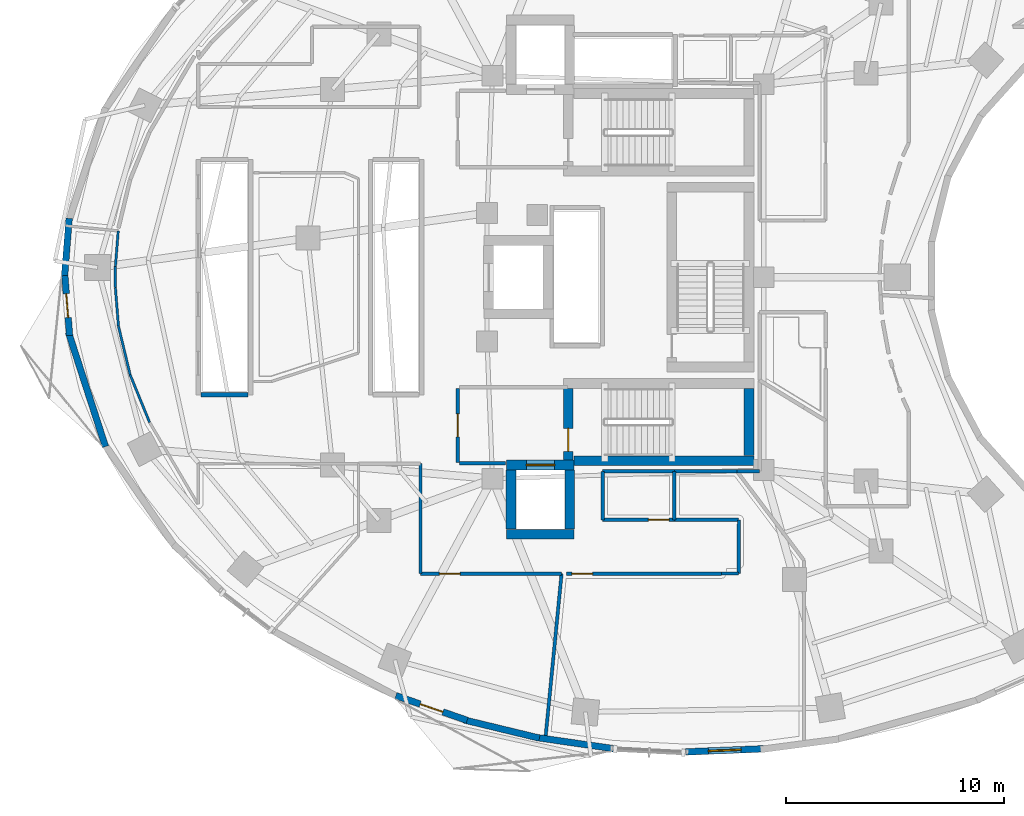
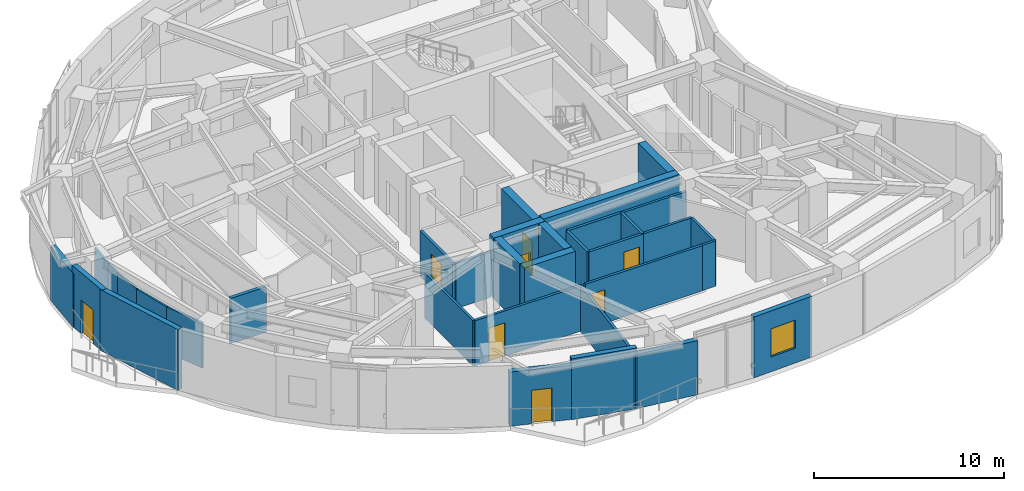
# One storey, part 7 of 14: 35 walls, 8 doors, 1 window, 9 openings.
"""IFC4 building model written with IfcOpenShell, lengths in metres."""

from ifc_helpers import new_model, si_unit, direction, frame, frame_2d, origin, place, context, subcontext, project, spatial, rectangle, extrude, material, layer, layer_set, type_object, element, fill, save


model = new_model("IFC4")

# Units and contexts
model_context = context("Model", 3, precision=1e-05, world=origin(), true_north=direction((0.0, 1.0)))
body_context = subcontext(model_context, "Body", "Model", "MODEL_VIEW")
ifc_project = project(units=[si_unit("LENGTHUNIT", "METRE"), si_unit("AREAUNIT", "SQUARE_METRE"), si_unit("VOLUMEUNIT", "CUBIC_METRE"), si_unit("PLANEANGLEUNIT", "RADIAN"), si_unit("MASSUNIT", "GRAM", prefix="KILO")], contexts=[model_context])

# Site, building, storey
site_placement = place(None, origin())
site = spatial("IfcSite", under=ifc_project, at=site_placement, CompositionType="ELEMENT")
building_placement = place(site_placement, origin())
building = spatial("IfcBuilding", under=site, at=building_placement, Name="Korentha Bioscience Tower", CompositionType="ELEMENT")
storey_placement = place(building_placement, frame((0.0, 0.0, 90.0)))
storey = spatial("IfcBuildingStorey", under=building, at=storey_placement, Name="L20", CompositionType="ELEMENT", Elevation=90.0)

# Wall, opening, door
ifc_material_1 = material(Name="Double-Stud Acoustic Gypsum", Category="gypsum")
ifc_layer_1 = layer(ifc_material_1, 0.14990234375, Name="Double-Stud Acoustic Gypsum")
ifc_layer_set_1 = layer_set([ifc_layer_1], Name="Double-Stud Acoustic Gypsum (IW-L150)")
wall_type_1 = type_object("IfcWallType", Name="Acoustic Laboratory Partition Wall 150", PredefinedType="PARTITIONING", material=ifc_layer_set_1)
wall_1_placement = place(storey_placement, frame((21.800048828125, 13.389892578125, 0.0), z_axis=(0.0, 0.0, 1.0), x_axis=(1.0, 0.0, 0.0)))
wall_1 = element("IfcWall", 1, at=wall_1_placement, inside=storey, type_object=wall_type_1, Name="L20 Research Colloquium Seminar Room 02 Entrance Wall", PredefinedType="PARTITIONING", context=body_context, shape_type="SweptSolid", body=[
    extrude(rectangle(XDim=6.47119140625, YDim=0.14990234375, at=frame_2d((3.235595703125, 0.0))), origin(), (0.0, 0.0, 1.0), 2.909912109375),
])
opening_1_placement = place(wall_1_placement, frame((0.85888671875, 0.0, 0.0)))
opening_1 = element("IfcOpeningElement", 2, at=opening_1_placement, cuts=wall_1, Name="Opening ID-10R", PredefinedType="OPENING", context=body_context, shape_type="SweptSolid", body=[
    extrude(rectangle(XDim=0.949951171875, YDim=2.14990234375, at=frame_2d((0.47509765625, 1.074951171875))), frame((0.0, 0.08984375, 0.0), z_axis=(0.0, -1.0, 0.0), x_axis=(1.0, 0.0, 0.0)), (0.0, 0.0, 1.0), 0.1796875),
])
ifc_material_2 = material(Name="Phenolic Laminate Timber Core", Category="wood")
door_type_1 = type_object("IfcDoorType", Name="Laboratory Single Leaf Door 950x2150 Right", OperationType="SINGLE_SWING_RIGHT", PredefinedType="DOOR", material=ifc_material_2)
door_1_placement = place(opening_1_placement, origin())
door_1 = element("IfcDoor", 3, at=door_1_placement, inside=storey, type_object=door_type_1, Name="L20 Research Colloquium Seminar Room 02 Door", OperationType="SINGLE_SWING_RIGHT", OverallHeight=2.14990234375, OverallWidth=0.949951171875, PredefinedType="DOOR", context=body_context, shape_type="SweptSolid", body=[
    extrude(rectangle(XDim=0.949951171875, YDim=2.14990234375, at=frame_2d((0.47509765625, 1.074951171875))), frame((0.0, 0.02490234375, 0.0), z_axis=(0.0, -1.0, 0.0), x_axis=(1.0, 0.0, 0.0)), (0.0, 0.0, 1.0), 0.050048828125),
])
fill(opening_1, door_1)

wall_2_placement = place(storey_placement, frame((28.5, 13.389892578125, 0.0), z_axis=(0.0, 0.0, 1.0), x_axis=(1.0, 0.0, 0.0)))
wall_2 = element("IfcWall", 4, at=wall_2_placement, inside=storey, type_object=wall_type_1, Name="L20 Staff Pantry Kitchenette 03 Entrance Wall", PredefinedType="PARTITIONING", context=body_context, shape_type="SweptSolid", body=[
    extrude(rectangle(XDim=7.10009765625, YDim=0.14990234375, at=frame_2d((3.550048828125, 0.0))), origin(), (0.0, 0.0, 1.0), 2.909912109375),
])
opening_2_placement = place(wall_2_placement, frame((0.239990234375, 0.0, 0.0)))
opening_2 = element("IfcOpeningElement", 5, at=opening_2_placement, cuts=wall_2, Name="Opening ID-10L", PredefinedType="OPENING", context=body_context, shape_type="SweptSolid", body=[
    extrude(rectangle(XDim=0.949951171875, YDim=2.14990234375, at=frame_2d((0.47509765625, 1.074951171875))), frame((0.0, 0.08984375, 0.0), z_axis=(0.0, -1.0, 0.0), x_axis=(1.0, 0.0, 0.0)), (0.0, 0.0, 1.0), 0.1796875),
])
door_type_2 = type_object("IfcDoorType", Name="Laboratory Single Leaf Door 950x2150 Left", OperationType="SINGLE_SWING_LEFT", PredefinedType="DOOR", material=ifc_material_2)
door_2_placement = place(opening_2_placement, origin())
door_2 = element("IfcDoor", 6, at=door_2_placement, inside=storey, type_object=door_type_2, Name="L20 Staff Pantry Kitchenette 03 Door", OperationType="SINGLE_SWING_LEFT", OverallHeight=2.14990234375, OverallWidth=0.949951171875, PredefinedType="DOOR", context=body_context, shape_type="SweptSolid", body=[
    extrude(rectangle(XDim=0.949951171875, YDim=2.14990234375, at=frame_2d((0.47509765625, 1.074951171875))), frame((0.0, 0.02490234375, 0.0), z_axis=(0.0, -1.0, 0.0), x_axis=(1.0, 0.0, 0.0)), (0.0, 0.0, 1.0), 0.050048828125),
])
fill(opening_2, door_2)

# Walls
wall_3_placement = place(storey_placement, frame((21.7900390625, 18.43994140625, 0.0), z_axis=(0.0, 0.0, 1.0), x_axis=(0.0, -1.0, 0.0)))
element("IfcWall", 7, at=wall_3_placement, inside=storey, type_object=wall_type_1, Name="L20 Interior Partition 030", PredefinedType="PARTITIONING", context=body_context, shape_type="SweptSolid", body=[
    extrude(rectangle(XDim=5.0400390625, YDim=0.14990234375, at=frame_2d((2.52001953125, 0.0))), origin(), (0.0, 0.0, 1.0), 2.909912109375),
])
wall_4_placement = place(storey_placement, frame((28.271240234375, 13.389892578125, 0.0), z_axis=(0.0, 0.0, 1.0), x_axis=(-0.097584908723, -0.995227202999, 0.0)))
element("IfcWall", 8, at=wall_4_placement, inside=storey, type_object=wall_type_1, Name="L20 Interior Partition 031", PredefinedType="PARTITIONING", context=body_context, shape_type="SweptSolid", body=[
    extrude(rectangle(XDim=7.735595703125, YDim=0.14990234375, at=frame_2d((3.86767578125, 0.0))), origin(), (0.0, 0.0, 1.0), 2.909912109375),
])
wall_5_placement = place(storey_placement, frame((35.610107421875, 13.39990234375, 0.0), z_axis=(0.0, 0.0, 1.0), x_axis=(1.0, 0.0, 0.0)))
element("IfcWall", 9, at=wall_5_placement, inside=storey, type_object=wall_type_1, Name="L20 Interior Partition 033", PredefinedType="PARTITIONING", context=body_context, shape_type="SweptSolid", body=[
    extrude(rectangle(XDim=0.789794921875, YDim=0.14990234375, at=frame_2d((0.39501953125, 0.0))), origin(), (0.0, 0.0, 1.0), 2.909912109375),
])
wall_6_placement = place(storey_placement, frame((36.39990234375, 13.39990234375, 0.0), z_axis=(0.0, 0.0, 1.0), x_axis=(0.004085258855, 0.999991655295, 0.0)))
element("IfcWall", 10, at=wall_6_placement, inside=storey, type_object=wall_type_1, Name="L20 Interior Partition 034", PredefinedType="PARTITIONING", context=body_context, shape_type="SweptSolid", body=[
    extrude(rectangle(XDim=2.4501953125, YDim=0.14990234375, at=frame_2d((1.22509765625, 0.0))), origin(), (0.0, 0.0, 1.0), 2.909912109375),
])
wall_7_placement = place(storey_placement, frame((36.39990234375, 15.860107421875, 0.0), z_axis=(0.0, 0.0, 1.0), x_axis=(-1.0, 0.0, 0.0)))
element("IfcWall", 11, at=wall_7_placement, inside=storey, type_object=wall_type_1, Name="L20 Interior Partition 035", PredefinedType="PARTITIONING", context=body_context, shape_type="SweptSolid", body=[
    extrude(rectangle(XDim=2.93994140625, YDim=0.14990234375, at=frame_2d((1.469970703125, 0.0))), origin(), (0.0, 0.0, 1.0), 2.909912109375),
])
wall_8_placement = place(storey_placement, frame((33.4599609375, 18.090087890625, 0.0), z_axis=(0.0, 0.0, 1.0), x_axis=(1.0, 0.0, 0.0)))
element("IfcWall", 12, at=wall_8_placement, inside=storey, type_object=wall_type_1, Name="L20 Interior Partition 036", PredefinedType="PARTITIONING", context=body_context, shape_type="SweptSolid", body=[
    extrude(rectangle(XDim=2.859375, YDim=0.14990234375, at=frame_2d((1.4296875, 0.0))), origin(), (0.0, 0.0, 1.0), 2.909912109375),
])
ifc_material_3 = material(Name="Fire-Rated Framed Glass", Category="glass")
ifc_layer_2 = layer(ifc_material_3, 0.110107421875, Name="Fire-Rated Framed Glass")
ifc_layer_set_2 = layer_set([ifc_layer_2], Name="Fire-Rated Framed Glass (IW-G110)")
wall_type_2 = type_object("IfcWallType", Name="Demountable Glazed Office Partition 110", PredefinedType="MOVABLE", material=ifc_layer_set_2)
wall_9_placement = place(storey_placement, frame((7.920166015625, 29.12451171875, 0.0), z_axis=(0.0, 0.0, 1.0), x_axis=(-0.079067162534, -0.996869291236, 0.0)))
element("IfcWall", 13, at=wall_9_placement, inside=storey, type_object=wall_type_2, Name="L20 Interior Partition 020", PredefinedType="MOVABLE", context=body_context, shape_type="SweptSolid", body=[
    extrude(rectangle(XDim=1.645751953125, YDim=0.110107421875, at=frame_2d((0.82275390625, 0.0))), origin(), (0.0, 0.0, 1.0), 2.909912109375),
])
wall_10_placement = place(storey_placement, frame((7.7900390625, 27.48291015625, 0.0), z_axis=(0.0, 0.0, 1.0), x_axis=(0.0, -1.0, 0.0)))
element("IfcWall", 14, at=wall_10_placement, inside=storey, type_object=wall_type_2, Name="L20 Interior Partition 021", PredefinedType="MOVABLE", context=body_context, shape_type="SweptSolid", body=[
    extrude(rectangle(XDim=0.9658203125, YDim=0.110107421875, at=frame_2d((0.48291015625, 0.0))), origin(), (0.0, 0.0, 1.0), 2.909912109375),
])
wall_11_placement = place(storey_placement, frame((7.7900390625, 26.51611328125, 0.0), z_axis=(0.0, 0.0, 1.0), x_axis=(0.079131522864, -0.996864184375, 0.0)))
element("IfcWall", 15, at=wall_11_placement, inside=storey, type_object=wall_type_2, Name="L20 Interior Partition 022", PredefinedType="MOVABLE", context=body_context, shape_type="SweptSolid", body=[
    extrude(rectangle(XDim=1.77099609375, YDim=0.110107421875, at=frame_2d((0.885498046875, 0.0))), origin(), (0.0, 0.0, 1.0), 2.909912109375),
])
wall_12_placement = place(storey_placement, frame((7.930419921875, 24.749267578125, 0.0), z_axis=(0.0, 0.0, 1.0), x_axis=(0.233675196412, -0.972314713754, 0.0)))
element("IfcWall", 16, at=wall_12_placement, inside=storey, type_object=wall_type_2, Name="L20 Interior Partition 023", PredefinedType="MOVABLE", context=body_context, shape_type="SweptSolid", body=[
    extrude(rectangle(XDim=2.291259765625, YDim=0.110107421875, at=frame_2d((1.1455078125, 0.0))), origin(), (0.0, 0.0, 1.0), 2.909912109375),
])
wall_13_placement = place(storey_placement, frame((8.46630859375, 22.520263671875, 0.0), z_axis=(0.0, 0.0, 1.0), x_axis=(0.378306283753, -0.925680482495, 0.0)))
element("IfcWall", 17, at=wall_13_placement, inside=storey, type_object=wall_type_2, Name="L20 Interior Partition 024", PredefinedType="MOVABLE", context=body_context, shape_type="SweptSolid", body=[
    extrude(rectangle(XDim=2.358154296875, YDim=0.110107421875, at=frame_2d((1.17919921875, 0.0))), origin(), (0.0, 0.0, 1.0), 2.909912109375),
])

# Wall, opening, door
ifc_material_4 = material(Name="Gypsum-Clad Steel Stud", Category="steel")
ifc_layer_3 = layer(ifc_material_4, 0.159912109375, Name="Gypsum-Clad Steel Stud")
ifc_layer_set_3 = layer_set([ifc_layer_3], Name="Gypsum-Clad Steel Stud (IW-C160)")
wall_type_3 = type_object("IfcWallType", Name="Fire-Rated Corridor Partition Wall 160", PredefinedType="PARTITIONING", material=ifc_layer_set_3)
wall_14_placement = place(storey_placement, frame((23.5, 18.5, 0.0), z_axis=(0.0, 0.0, 1.0), x_axis=(0.0, 1.0, 0.0)))
wall_14 = element("IfcWall", 18, at=wall_14_placement, inside=storey, type_object=wall_type_3, Name="L20 FFLS-CW Rated Enclosure Wall", PredefinedType="PARTITIONING", context=body_context, shape_type="SweptSolid", body=[
    extrude(rectangle(XDim=3.39990234375, YDim=0.159912109375, at=frame_2d((1.699951171875, 0.0))), origin(), (0.0, 0.0, 1.0), 2.909912109375),
])
opening_3_placement = place(wall_14_placement, frame((1.175048828125, 0.0, 0.0)))
opening_3 = element("IfcOpeningElement", 19, at=opening_3_placement, cuts=wall_14, Name="Opening FD-90L", PredefinedType="OPENING", context=body_context, shape_type="SweptSolid", body=[
    extrude(rectangle(XDim=1.050048828125, YDim=2.14990234375, at=frame_2d((0.52490234375, 1.074951171875))), frame((0.0, 0.0947265625, 0.0), z_axis=(0.0, -1.0, 0.0), x_axis=(1.0, 0.0, 0.0)), (0.0, 0.0, 1.0), 0.189697265625),
])
ifc_material_5 = material(Name="Powder-Coated Fire-Rated Steel", Category="steel")
door_type_3 = type_object("IfcDoorType", Name="Stairwell Fire Exit Door 1050x2150 Left", OperationType="SINGLE_SWING_LEFT", PredefinedType="DOOR", material=ifc_material_5)
door_3_placement = place(opening_3_placement, origin())
door_3 = element("IfcDoor", 20, at=door_3_placement, inside=storey, type_object=door_type_3, Name="L20 South Firefighting Lobby Door", OperationType="SINGLE_SWING_LEFT", OverallHeight=2.14990234375, OverallWidth=1.050048828125, PredefinedType="DOOR", context=body_context, shape_type="SweptSolid", body=[
    extrude(rectangle(XDim=1.050048828125, YDim=2.14990234375, at=frame_2d((0.52490234375, 1.074951171875))), frame((0.0, 0.02490234375, 0.0), z_axis=(0.0, -1.0, 0.0), x_axis=(1.0, 0.0, 0.0)), (0.0, 0.0, 1.0), 0.050048828125),
])
fill(opening_3, door_3)

# Wall
wall_15_placement = place(storey_placement, frame((23.580078125, 18.449951171875, 0.0), z_axis=(0.0, 0.0, 1.0), x_axis=(1.0, 0.0, 0.0)))
element("IfcWall", 21, at=wall_15_placement, inside=storey, type_object=wall_type_3, Name="L20 Firefighting Lobby Return Wall FFLS-S", PredefinedType="PARTITIONING", context=body_context, shape_type="SweptSolid", body=[
    extrude(rectangle(XDim=2.119873046875, YDim=0.159912109375, at=frame_2d((1.06005859375, 0.0))), origin(), (0.0, 0.0, 1.0), 2.909912109375),
])

# Wall, opening, door
wall_16_placement = place(storey_placement, frame((33.449951171875, 15.860107421875, 0.0), z_axis=(0.0, 0.0, 1.0), x_axis=(-1.0, 0.0, 0.0)))
wall_16 = element("IfcWall", 22, at=wall_16_placement, inside=storey, type_object=wall_type_3, Name="L20 Core Instrumentation and Gas Store Entrance Wall", PredefinedType="PARTITIONING", context=body_context, shape_type="SweptSolid", body=[
    extrude(rectangle(XDim=3.300048828125, YDim=0.159912109375, at=frame_2d((1.64990234375, 0.0))), origin(), (0.0, 0.0, 1.0), 2.909912109375),
])
opening_4_placement = place(wall_16_placement, frame((0.239990234375, 0.0, 0.0)))
opening_4 = element("IfcOpeningElement", 23, at=opening_4_placement, cuts=wall_16, Name="Opening ID-10L", PredefinedType="OPENING", context=body_context, shape_type="SweptSolid", body=[
    extrude(rectangle(XDim=0.949951171875, YDim=2.14990234375, at=frame_2d((0.47509765625, 1.074951171875))), frame((0.0, 0.0947265625, 0.0), z_axis=(0.0, -1.0, 0.0), x_axis=(1.0, 0.0, 0.0)), (0.0, 0.0, 1.0), 0.189697265625),
])
door_4_placement = place(opening_4_placement, origin())
door_4 = element("IfcDoor", 24, at=door_4_placement, inside=storey, type_object=door_type_2, Name="L20 Core Instrumentation and Gas Store Door", OperationType="SINGLE_SWING_LEFT", OverallHeight=2.14990234375, OverallWidth=0.949951171875, PredefinedType="DOOR", context=body_context, shape_type="SweptSolid", body=[
    extrude(rectangle(XDim=0.949951171875, YDim=2.14990234375, at=frame_2d((0.47509765625, 1.074951171875))), frame((0.0, 0.02490234375, 0.0), z_axis=(0.0, -1.0, 0.0), x_axis=(1.0, 0.0, 0.0)), (0.0, 0.0, 1.0), 0.050048828125),
])
fill(opening_4, door_4)

# Walls
wall_17_placement = place(storey_placement, frame((30.14990234375, 15.860107421875, 0.0), z_axis=(0.0, 0.0, 1.0), x_axis=(0.0, 1.0, 0.0)))
element("IfcWall", 25, at=wall_17_placement, inside=storey, type_object=wall_type_3, Name="L20 Interior Partition 014", PredefinedType="PARTITIONING", context=body_context, shape_type="SweptSolid", body=[
    extrude(rectangle(XDim=2.22998046875, YDim=0.159912109375, at=frame_2d((1.114990234375, 0.0))), origin(), (0.0, 0.0, 1.0), 2.909912109375),
])
wall_18_placement = place(storey_placement, frame((30.14990234375, 18.090087890625, 0.0), z_axis=(0.0, 0.0, 1.0), x_axis=(1.0, 0.0, 0.0)))
element("IfcWall", 26, at=wall_18_placement, inside=storey, type_object=wall_type_3, Name="L20 Interior Partition 015", PredefinedType="PARTITIONING", context=body_context, shape_type="SweptSolid", body=[
    extrude(rectangle(XDim=3.300048828125, YDim=0.159912109375, at=frame_2d((1.64990234375, 0.0))), origin(), (0.0, 0.0, 1.0), 2.909912109375),
])
wall_19_placement = place(storey_placement, frame((33.449951171875, 18.090087890625, 0.0), z_axis=(0.0, 0.0, 1.0), x_axis=(0.0, -1.0, 0.0)))
element("IfcWall", 27, at=wall_19_placement, inside=storey, type_object=wall_type_3, Name="L20 Interior Partition 016", PredefinedType="PARTITIONING", context=body_context, shape_type="SweptSolid", body=[
    extrude(rectangle(XDim=2.22998046875, YDim=0.159912109375, at=frame_2d((1.114990234375, 0.0))), origin(), (0.0, 0.0, 1.0), 2.909912109375),
])
wall_20_placement = place(storey_placement, frame((36.331787109375, 18.090087890625, 0.0), z_axis=(0.0, 0.0, 1.0), x_axis=(1.0, 0.0, 0.0)))
element("IfcWall", 28, at=wall_20_placement, inside=storey, type_object=wall_type_3, Name="L20 Interior Partition 047", PredefinedType="PARTITIONING", context=body_context, shape_type="SweptSolid", body=[
    extrude(rectangle(XDim=1.018310546875, YDim=0.159912109375, at=frame_2d((0.50927734375, 0.0))), origin(), (0.0, 0.0, 1.0), 2.909912109375),
])

# Wall, opening, door
ifc_material_6 = material(Name="Honed Limestone Precast Concrete C40", Category="masonry")
ifc_layer_4 = layer(ifc_material_6, 0.300048828125, Name="Honed Limestone Precast Concrete C40")
ifc_layer_set_4 = layer_set([ifc_layer_4], Name="Honed Limestone Precast Concrete C40 (EW-ST300)")
wall_type_4 = type_object("IfcWallType", Name="Honed Limestone Cavity Spandrel Wall 300", PredefinedType="STANDARD", material=ifc_layer_set_4)
wall_21_placement = place(storey_placement, frame((5.46875, 27.072509765625, 0.0), z_axis=(0.0, 0.0, 1.0), x_axis=(0.079056321743, -0.996870151019, 0.0)))
wall_21 = element("IfcWall", 29, at=wall_21_placement, inside=storey, type_object=wall_type_4, Name="L20 Balcony Threshold Wall 02", PredefinedType="STANDARD", context=body_context, shape_type="SweptSolid", body=[
    extrude(rectangle(XDim=2.7607421875, YDim=0.300048828125, at=frame_2d((1.38037109375, 0.0))), origin(), (0.0, 0.0, 1.0), 3.89990234375),
])
opening_5_placement = place(wall_21_placement, frame((0.830322265625, 0.0, 0.0)))
opening_5 = element("IfcOpeningElement", 30, at=opening_5_placement, cuts=wall_21, Name="Opening BD-11R", PredefinedType="OPENING", context=body_context, shape_type="SweptSolid", body=[
    extrude(rectangle(XDim=1.10009765625, YDim=2.14990234375, at=frame_2d((0.550048828125, 1.074951171875))), frame((0.0, 0.1650390625, 0.0), z_axis=(0.0, -1.0, 0.0), x_axis=(1.0, 0.0, 0.0)), (0.0, 0.0, 1.0), 0.329833984375),
])
ifc_material_7 = material(Name="Thermally Broken Glazed Aluminium", Category="aluminium")
door_type_4 = type_object("IfcDoorType", Name="Balcony Terrace Glazed Door 1100x2150 Right", OperationType="SINGLE_SWING_RIGHT", PredefinedType="DOOR", material=ifc_material_7)
door_5_placement = place(opening_5_placement, origin())
door_5 = element("IfcDoor", 31, at=door_5_placement, inside=storey, type_object=door_type_4, Name="L20 Balcony Access Door 02", OperationType="SINGLE_SWING_RIGHT", OverallHeight=2.14990234375, OverallWidth=1.10009765625, PredefinedType="DOOR", context=body_context, shape_type="SweptSolid", body=[
    extrude(rectangle(XDim=1.10009765625, YDim=2.14990234375, at=frame_2d((0.550048828125, 1.074951171875))), frame((0.0, 0.02490234375, 0.0), z_axis=(0.0, -1.0, 0.0), x_axis=(1.0, 0.0, 0.0)), (0.0, 0.0, 1.0), 0.050048828125),
])
fill(opening_5, door_5)

wall_22_placement = place(storey_placement, frame((20.662109375, 7.7919921875, 0.0), z_axis=(0.0, 0.0, 1.0), x_axis=(0.944878029854, -0.3274225232, 0.0)))
wall_22 = element("IfcWall", 32, at=wall_22_placement, inside=storey, type_object=wall_type_4, Name="L20 Balcony Threshold Wall 03", PredefinedType="STANDARD", context=body_context, shape_type="SweptSolid", body=[
    extrude(rectangle(XDim=3.46728515625, YDim=0.300048828125, at=frame_2d((1.733642578125, 0.0))), origin(), (0.0, 0.0, 1.0), 3.469970703125),
])
opening_6_placement = place(wall_22_placement, frame((1.18359375, 0.0, 0.0)))
opening_6 = element("IfcOpeningElement", 33, at=opening_6_placement, cuts=wall_22, Name="Opening BD-11L", PredefinedType="OPENING", context=body_context, shape_type="SweptSolid", body=[
    extrude(rectangle(XDim=1.10009765625, YDim=2.14990234375, at=frame_2d((0.550048828125, 1.074951171875))), frame((0.0, 0.1650390625, 0.0), z_axis=(0.0, -1.0, 0.0), x_axis=(1.0, 0.0, 0.0)), (0.0, 0.0, 1.0), 0.329833984375),
])
door_type_5 = type_object("IfcDoorType", Name="Balcony Terrace Glazed Door 1100x2150 Left", OperationType="SINGLE_SWING_LEFT", PredefinedType="DOOR", material=ifc_material_7)
door_6_placement = place(opening_6_placement, origin())
door_6 = element("IfcDoor", 34, at=door_6_placement, inside=storey, type_object=door_type_5, Name="L20 Balcony Access Door 03", OperationType="SINGLE_SWING_LEFT", OverallHeight=2.14990234375, OverallWidth=1.10009765625, PredefinedType="DOOR", context=body_context, shape_type="SweptSolid", body=[
    extrude(rectangle(XDim=1.10009765625, YDim=2.14990234375, at=frame_2d((0.550048828125, 1.074951171875))), frame((0.0, 0.02490234375, 0.0), z_axis=(0.0, -1.0, 0.0), x_axis=(1.0, 0.0, 0.0)), (0.0, 0.0, 1.0), 0.050048828125),
])
fill(opening_6, door_6)

# Wall, opening, window
wall_23_placement = place(storey_placement, frame((33.961181640625, 5.210205078125, 0.0), z_axis=(0.0, 0.0, 1.0), x_axis=(0.999210691503, 0.039723972445, 0.0)))
wall_23 = element("IfcWall", 35, at=wall_23_placement, inside=storey, type_object=wall_type_4, Name="L20 Honed Limestone Spandrel Wall 32", PredefinedType="STANDARD", context=body_context, shape_type="SweptSolid", body=[
    extrude(rectangle(XDim=3.595458984375, YDim=0.300048828125, at=frame_2d((1.7978515625, 0.0))), origin(), (0.0, 0.0, 1.0), 3.89990234375),
])
opening_7_placement = place(wall_23_placement, frame((1.047607421875, 0.0, 0.949951171875)))
opening_7 = element("IfcOpeningElement", 36, at=opening_7_placement, cuts=wall_23, Name="Opening WN-02", PredefinedType="OPENING", context=body_context, shape_type="SweptSolid", body=[
    extrude(rectangle(XDim=1.5, YDim=1.800048828125, at=frame_2d((0.75, 0.89990234375))), frame((0.0, 0.1650390625, 0.0), z_axis=(0.0, -1.0, 0.0), x_axis=(1.0, 0.0, 0.0)), (0.0, 0.0, 1.0), 0.329833984375),
])
ifc_material_8 = material(Name="Thermally Broken Aluminium Triple Glazing", Category="aluminium")
window_type = type_object("IfcWindowType", Name="Acoustic Operable Office Window 1500x1800", PartitioningType="DOUBLE_PANEL_VERTICAL", PredefinedType="WINDOW", material=ifc_material_8)
window_placement = place(opening_7_placement, origin())
window = element("IfcWindow", 37, at=window_placement, inside=storey, type_object=window_type, Name="L20 Facade Window 32", OverallHeight=1.800048828125, OverallWidth=1.5, PartitioningType="DOUBLE_PANEL_VERTICAL", PredefinedType="WINDOW", context=body_context, shape_type="SweptSolid", body=[
    extrude(rectangle(XDim=1.5, YDim=1.800048828125, at=frame_2d((0.75, 0.89990234375))), frame((0.0, 0.030029296875, 0.0), z_axis=(0.0, -1.0, 0.0), x_axis=(1.0, 0.0, 0.0)), (0.0, 0.0, 1.0), 0.06005859375),
])
fill(opening_7, window)

# Walls
wall_24_placement = place(storey_placement, frame((5.668701171875, 29.701171875, 0.0), z_axis=(0.0, 0.0, 1.0), x_axis=(-0.079062676622, -0.996869647028, 0.0)))
element("IfcWall", 38, at=wall_24_placement, inside=storey, type_object=wall_type_4, Name="L20 Limestone Perimeter Closure Wall 18", PredefinedType="STANDARD", context=body_context, shape_type="SweptSolid", body=[
    extrude(rectangle(XDim=2.80078125, YDim=0.300048828125, at=frame_2d((1.400390625, 0.0))), origin(), (0.0, 0.0, 1.0), 3.469970703125),
])
wall_25_placement = place(storey_placement, frame((5.631591796875, 24.48681640625, 0.0), z_axis=(0.0, 0.0, 1.0), x_axis=(0.307599470659, -0.951515930319, 0.0)))
element("IfcWall", 39, at=wall_25_placement, inside=storey, type_object=wall_type_4, Name="L20 Limestone Perimeter Closure Wall 20", PredefinedType="STANDARD", context=body_context, shape_type="SweptSolid", body=[
    extrude(rectangle(XDim=5.534423828125, YDim=0.300048828125, at=frame_2d((2.76708984375, 0.0))), origin(), (0.0, 0.0, 1.0), 3.89990234375),
])
wall_26_placement = place(storey_placement, frame((23.7841796875, 6.679931640625, 0.0), z_axis=(0.0, 0.0, 1.0), x_axis=(0.972043452321, -0.234801036625, 0.0)))
element("IfcWall", 40, at=wall_26_placement, inside=storey, type_object=wall_type_4, Name="L20 Limestone Perimeter Closure Wall 29", PredefinedType="STANDARD", context=body_context, shape_type="SweptSolid", body=[
    extrude(rectangle(XDim=3.568603515625, YDim=0.300048828125, at=frame_2d((1.7841796875, 0.0))), origin(), (0.0, 0.0, 1.0), 3.89990234375),
])
wall_27_placement = place(storey_placement, frame((27.083251953125, 5.874755859375, 0.0), z_axis=(0.0, 0.0, 1.0), x_axis=(0.989734732902, -0.142916613754, 0.0)))
element("IfcWall", 41, at=wall_27_placement, inside=storey, type_object=wall_type_4, Name="L20 Limestone Perimeter Closure Wall 30", PredefinedType="STANDARD", context=body_context, shape_type="SweptSolid", body=[
    extrude(rectangle(XDim=3.611328125, YDim=0.300048828125, at=frame_2d((1.8056640625, 0.0))), origin(), (0.0, 0.0, 1.0), 3.469970703125),
])
ifc_material_9 = material(Name="Autoclaved Aerated Concrete Block C25", Category="concrete")
ifc_layer_5 = layer(ifc_material_9, 0.199951171875, Name="Autoclaved Aerated Concrete Block C25")
ifc_layer_set_5 = layer_set([ifc_layer_5], Name="Autoclaved Aerated Concrete Block C25 (IW-S200)")
wall_type_5 = type_object("IfcWallType", Name="Lift and Riser Shaft Enclosure Wall 200", PredefinedType="PARTITIONING", material=ifc_layer_set_5)
wall_28_placement = place(storey_placement, frame((11.719970703125, 21.60009765625, 0.0), z_axis=(0.0, 0.0, 1.0), x_axis=(1.0, 0.0, 0.0)))
element("IfcWall", 42, at=wall_28_placement, inside=storey, type_object=wall_type_5, Name="L20 Lift Bank LOW Shaft Wall -Y", PredefinedType="PARTITIONING", context=body_context, shape_type="SweptSolid", body=[
    extrude(rectangle(XDim=2.159912109375, YDim=0.199951171875, at=frame_2d((1.080078125, 0.0))), origin(), (0.0, 0.0, 1.0), 2.909912109375),
])
ifc_material_10 = material(Name="Concrete C80", Category="concrete")
ifc_layer_6 = layer(ifc_material_10, 0.449951171875, Name="Concrete C80")
ifc_layer_set_6 = layer_set([ifc_layer_6], Name="Concrete C80 (CW-C80)")
wall_type_6 = type_object("IfcWallType", Name="Lower Core Shear Wall 450", PredefinedType="SHEAR", material=ifc_layer_set_6)
wall_29_placement = place(storey_placement, frame((28.85205078125, 18.574951171875, 0.0), z_axis=(0.0, 0.0, 1.0), x_axis=(1.0, 0.0, 0.0)))
element("IfcWall", 43, at=wall_29_placement, inside=storey, type_object=wall_type_6, Name="L20 Core Shear Wall ST2-S", PredefinedType="SHEAR", context=body_context, shape_type="SweptSolid", body=[
    extrude(rectangle(XDim=8.248046875, YDim=0.449951171875, at=frame_2d((4.1240234375, 0.0))), origin(), (0.0, 0.0, 1.0), 3.89990234375),
])
wall_30_placement = place(storey_placement, frame((36.875, 18.81005859375, 0.0), z_axis=(0.0, 0.0, 1.0), x_axis=(0.0, 1.0, 0.0)))
element("IfcWall", 44, at=wall_30_placement, inside=storey, type_object=wall_type_6, Name="L20 Core Shear Wall ST2-E", PredefinedType="SHEAR", context=body_context, shape_type="SweptSolid", body=[
    extrude(rectangle(XDim=3.079833984375, YDim=0.449951171875, at=frame_2d((1.5400390625, 0.0))), origin(), (0.0, 0.0, 1.0), 3.89990234375),
])

# Wall, opening, door
wall_31_placement = place(storey_placement, frame((28.574951171875, 18.60693359375, 0.0), z_axis=(0.0, 0.0, 1.0), x_axis=(0.0, 1.0, 0.0)))
wall_31 = element("IfcWall", 45, at=wall_31_placement, inside=storey, type_object=wall_type_6, Name="L20 Core Shear Wall ST2-W", PredefinedType="SHEAR", context=body_context, shape_type="SweptSolid", body=[
    extrude(rectangle(XDim=3.282958984375, YDim=0.449951171875, at=frame_2d((1.6416015625, 0.0))), origin(), (0.0, 0.0, 1.0), 3.89990234375),
])
opening_8_placement = place(wall_31_placement, frame((0.403076171875, 0.0, 0.0)))
opening_8 = element("IfcOpeningElement", 46, at=opening_8_placement, cuts=wall_31, Name="Opening FD-90L", PredefinedType="OPENING", context=body_context, shape_type="SweptSolid", body=[
    extrude(rectangle(XDim=1.050048828125, YDim=2.14990234375, at=frame_2d((0.52490234375, 1.074951171875))), frame((0.0, 0.23974609375, 0.0), z_axis=(0.0, -1.0, 0.0), x_axis=(1.0, 0.0, 0.0)), (0.0, 0.0, 1.0), 0.479736328125),
])
door_7_placement = place(opening_8_placement, origin())
door_7 = element("IfcDoor", 47, at=door_7_placement, inside=storey, type_object=door_type_3, Name="L20 ST-2 Fire Exit Stair Door", OperationType="SINGLE_SWING_LEFT", OverallHeight=2.14990234375, OverallWidth=1.050048828125, PredefinedType="DOOR", context=body_context, shape_type="SweptSolid", body=[
    extrude(rectangle(XDim=1.050048828125, YDim=2.14990234375, at=frame_2d((0.52490234375, 1.074951171875))), frame((0.0, 0.02490234375, 0.0), z_axis=(0.0, -1.0, 0.0), x_axis=(1.0, 0.0, 0.0)), (0.0, 0.0, 1.0), 0.050048828125),
])
fill(opening_8, door_7)

# Wall
wall_32_placement = place(storey_placement, frame((25.75, 15.199951171875, 0.0), z_axis=(0.0, 0.0, 1.0), x_axis=(1.0, 0.0, 0.0)))
element("IfcWall", 48, at=wall_32_placement, inside=storey, type_object=wall_type_6, Name="L20 Core Shear Wall FFL1-S", PredefinedType="SHEAR", context=body_context, shape_type="SweptSolid", body=[
    extrude(rectangle(XDim=3.10009765625, YDim=0.449951171875, at=frame_2d((1.550048828125, 0.0))), origin(), (0.0, 0.0, 1.0), 3.89990234375),
])

# Wall, opening, door
wall_33_placement = place(storey_placement, frame((25.75, 18.3798828125, 0.0), z_axis=(0.0, 0.0, 1.0), x_axis=(1.0, 0.0, 0.0)))
wall_33 = element("IfcWall", 49, at=wall_33_placement, inside=storey, type_object=wall_type_6, Name="L20 Core Shear Wall FFL1-N", PredefinedType="SHEAR", context=body_context, shape_type="SweptSolid", body=[
    extrude(rectangle(XDim=3.10009765625, YDim=0.449951171875, at=frame_2d((1.550048828125, 0.0))), origin(), (0.0, 0.0, 1.0), 3.89990234375),
])
opening_9_placement = place(wall_33_placement, frame((0.89990234375, 0.0, 0.0)))
opening_9 = element("IfcOpeningElement", 50, at=opening_9_placement, cuts=wall_33, Name="Opening LD-13", PredefinedType="OPENING", context=body_context, shape_type="SweptSolid", body=[
    extrude(rectangle(XDim=1.300048828125, YDim=2.199951171875, at=frame_2d((0.64990234375, 1.10009765625))), frame((0.0, 0.23974609375, 0.0), z_axis=(0.0, -1.0, 0.0), x_axis=(1.0, 0.0, 0.0)), (0.0, 0.0, 1.0), 0.479736328125),
])
ifc_material_11 = material(Name="Brushed Stainless Steel 316", Category="steel")
door_type_6 = type_object("IfcDoorType", Name="Service & Firefighting Lift Landing Door 1300x2300", OperationType="DOUBLE_DOOR_SLIDING", PredefinedType="DOOR", material=ifc_material_11)
door_8_placement = place(opening_9_placement, origin())
door_8 = element("IfcDoor", 51, at=door_8_placement, inside=storey, type_object=door_type_6, Name="L20 FFL-1 Sliding Lift Landing Door", OperationType="DOUBLE_DOOR_SLIDING", OverallHeight=2.199951171875, OverallWidth=1.300048828125, PredefinedType="DOOR", context=body_context, shape_type="SweptSolid", body=[
    extrude(rectangle(XDim=1.300048828125, YDim=2.199951171875, at=frame_2d((0.64990234375, 1.10009765625))), frame((0.0, 0.02490234375, 0.0), z_axis=(0.0, -1.0, 0.0), x_axis=(1.0, 0.0, 0.0)), (0.0, 0.0, 1.0), 0.050048828125),
])
fill(opening_9, door_8)

# Walls
for number, where, z_axis, x_axis, name in (
    (52, (25.949951171875, 15.43994140625, 0.0), (0.0, 0.0, 1.0), (0.0, 1.0, 0.0), "L20 Core Shear Wall FFL1-W"),
    (53, (28.64990234375, 15.43994140625, 0.0), (0.0, 0.0, 1.0), (0.0, 1.0, 0.0), "L20 Core Shear Wall FFL1-E"),
):
    element("IfcWall", number, at=place(storey_placement, frame(where, z_axis=z_axis, x_axis=x_axis)), inside=storey, type_object=wall_type_6, Name=name, PredefinedType="SHEAR", context=body_context, shape_type="SweptSolid", body=[
        extrude(rectangle(XDim=2.699951171875, YDim=0.449951171875, at=frame_2d((1.35009765625, 0.0))), origin(), (0.0, 0.0, 1.0), 3.89990234375),
    ])

save(model, "model.ifc")
